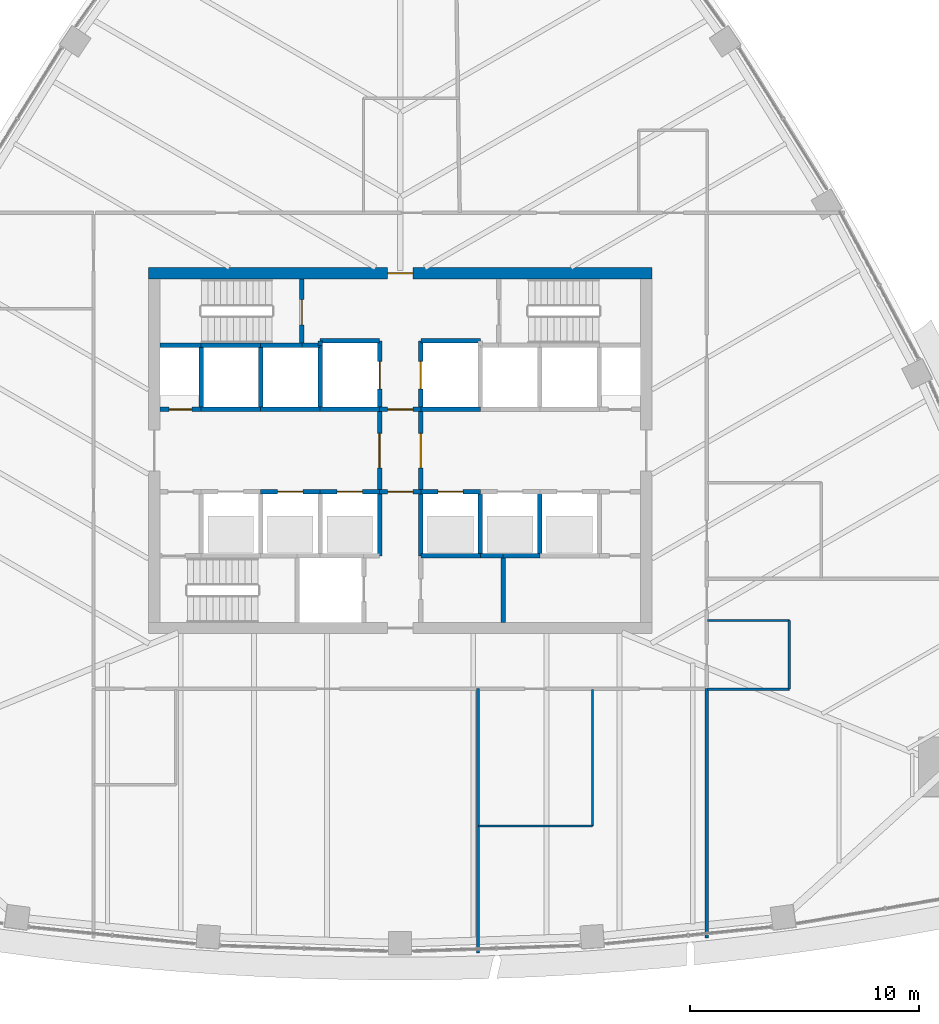
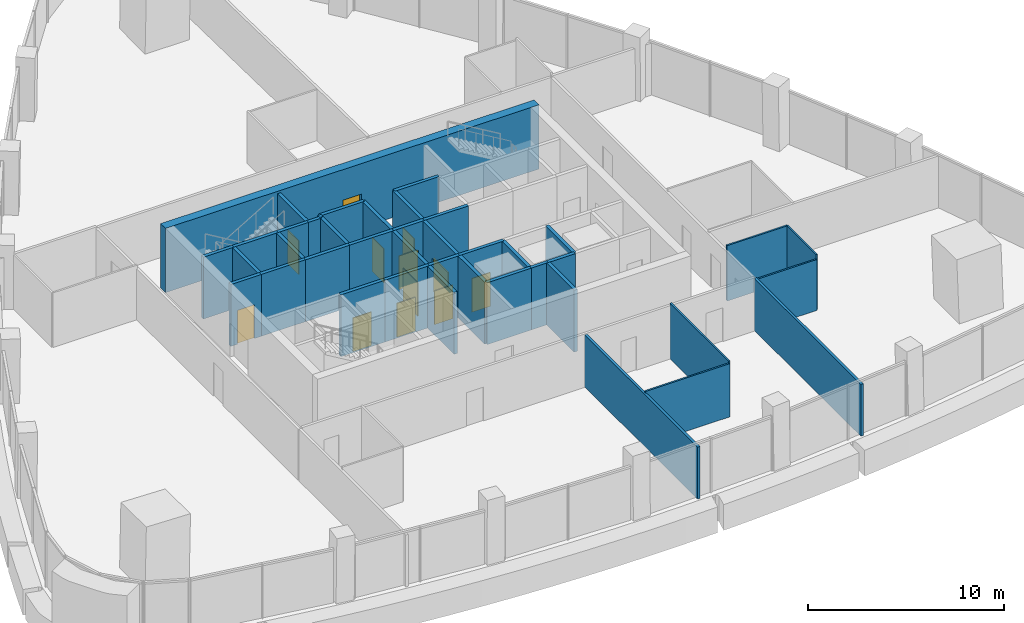
# One storey, part 10 of 16: 41 walls, 12 doors, 12 openings.
"""IFC4 building model written with IfcOpenShell, lengths in metres."""

from ifc_helpers import new_model, si_unit, direction, frame, frame_2d, origin, place, context, subcontext, project, spatial, rectangle, extrude, material, layer, layer_set, type_object, element, fill, save


model = new_model("IFC4")

# Units and contexts
model_context = context("Model", 3, precision=1e-05, world=origin(), true_north=direction((0.0, 1.0)))
body_context = subcontext(model_context, "Body", "Model", "MODEL_VIEW")
ifc_project = project(units=[si_unit("LENGTHUNIT", "METRE"), si_unit("AREAUNIT", "SQUARE_METRE"), si_unit("VOLUMEUNIT", "CUBIC_METRE"), si_unit("PLANEANGLEUNIT", "RADIAN"), si_unit("MASSUNIT", "GRAM", prefix="KILO")], contexts=[model_context])

# Site, building, storey
site_placement = place(None, origin())
site = spatial("IfcSite", under=ifc_project, at=site_placement, CompositionType="ELEMENT")
building_placement = place(site_placement, origin())
building = spatial("IfcBuilding", under=site, at=building_placement, Name="Sierra Prisma Convention Tower", CompositionType="ELEMENT")
storey_placement = place(building_placement, frame((0.0, 0.0, 165.800048828125)))
storey = spatial("IfcBuildingStorey", under=building, at=storey_placement, Name="L36", CompositionType="ELEMENT", Elevation=165.800048828125)

# Walls
ifc_material_1 = material(Name="Gypsum board partition", Category="gypsum")
ifc_layer_1 = layer(ifc_material_1, 0.10009765625)
ifc_layer_set_1 = layer_set([ifc_layer_1], Name="Bathroom partition 100")
wall_type_1 = type_object("IfcWallType", Name="Bathroom partition 100", PredefinedType="PARTITIONING", material=ifc_layer_set_1)
wall_1_placement = place(storey_placement, frame((8.39990234375, -10.429931640625, 0.0), z_axis=(0.0, 0.0, 1.0), x_axis=(0.0, -1.0, 0.0)))
element("IfcWall", 1, at=wall_1_placement, inside=storey, type_object=wall_type_1, Name="Partition L36 bath 7", PredefinedType="PARTITIONING", context=body_context, shape_type="SweptSolid", body=[
    extrude(rectangle(XDim=5.969970703125, YDim=0.10009765625, at=frame_2d((2.98486328125, 0.0))), origin(), (0.0, 0.0, 1.0), 3.449951171875),
])
wall_2_placement = place(storey_placement, frame((8.39990234375, -16.39990234375, 0.0), z_axis=(0.0, 0.0, 1.0), x_axis=(-1.0, 0.0, 0.0)))
element("IfcWall", 2, at=wall_2_placement, inside=storey, type_object=wall_type_1, Name="Partition L36 bath 8", PredefinedType="PARTITIONING", context=body_context, shape_type="SweptSolid", body=[
    extrude(rectangle(XDim=4.969970703125, YDim=0.10009765625, at=frame_2d((2.48486328125, 0.0))), origin(), (0.0, 0.0, 1.0), 3.31689453125),
])
wall_3_placement = place(storey_placement, frame((13.429931640625, -7.419921875, 0.0), z_axis=(0.0, 0.0, 1.0), x_axis=(1.0, 0.0, 0.0)))
element("IfcWall", 3, at=wall_3_placement, inside=storey, type_object=wall_type_1, Name="Partition L36 bath 12", PredefinedType="PARTITIONING", context=body_context, shape_type="SweptSolid", body=[
    extrude(rectangle(XDim=3.570068359375, YDim=0.10009765625, at=frame_2d((1.78515625, 0.0))), origin(), (0.0, 0.0, 1.0), 3.449951171875),
])
wall_4_placement = place(storey_placement, frame((17.0, -7.419921875, 0.0), z_axis=(0.0, 0.0, 1.0), x_axis=(0.0, -1.0, 0.0)))
element("IfcWall", 4, at=wall_4_placement, inside=storey, type_object=wall_type_1, Name="Partition L36 bath 13", PredefinedType="PARTITIONING", context=body_context, shape_type="SweptSolid", body=[
    extrude(rectangle(XDim=3.0, YDim=0.10009765625, at=frame_2d((1.5, 0.0))), origin(), (0.0, 0.0, 1.0), 3.449951171875),
])
wall_5_placement = place(storey_placement, frame((17.0, -10.419921875, 0.0), z_axis=(0.0, 0.0, 1.0), x_axis=(-1.0, 0.0, 0.0)))
element("IfcWall", 5, at=wall_5_placement, inside=storey, type_object=wall_type_1, Name="Partition L36 bath 14", PredefinedType="PARTITIONING", context=body_context, shape_type="SweptSolid", body=[
    extrude(rectangle(XDim=3.570068359375, YDim=0.10009765625, at=frame_2d((1.78515625, 0.0))), origin(), (0.0, 0.0, 1.0), 3.166015625),
])

# Wall, opening, door
ifc_material_2 = material(Name="Concrete C30/37", Category="concrete")
ifc_layer_2 = layer(ifc_material_2, 0.199951171875)
ifc_layer_set_2 = layer_set([ifc_layer_2], Name="Core wall RC 200 C30/37")
wall_type_2 = type_object("IfcWallType", Name="Core wall RC 200 C30/37", PredefinedType="SOLIDWALL", material=ifc_layer_set_2)
wall_6_placement = place(storey_placement, frame((-8.699951171875, 1.800048828125, 0.0), z_axis=(0.0, 0.0, 1.0), x_axis=(-1.0, 0.0, 0.0)))
wall_6 = element("IfcWall", 6, at=wall_6_placement, inside=storey, type_object=wall_type_2, Name="Core wall L36 3", PredefinedType="SOLIDWALL", context=body_context, shape_type="SweptSolid", body=[
    extrude(rectangle(XDim=1.800048828125, YDim=0.199951171875, at=frame_2d((0.89990234375, 0.0))), origin(), (0.0, 0.0, 1.0), 3.849853515625),
])
opening_1_placement = place(wall_6_placement, frame((0.39990234375, 0.0, 0.0)))
opening_1 = element("IfcOpeningElement", 7, at=opening_1_placement, cuts=wall_6, Name="Opening L36-D015", PredefinedType="OPENING", context=body_context, shape_type="SweptSolid", body=[
    extrude(rectangle(XDim=1.0, YDim=2.10009765625, at=frame_2d((0.5, 1.050048828125))), frame((0.0, 0.10009765625, 0.0), z_axis=(0.0, -1.0, 0.0), x_axis=(1.0, 0.0, 0.0)), (0.0, 0.0, 1.0), 0.199951171875),
])
ifc_material_3 = material(Name="Steel fire door leaf", Category="steel")
door_type_1 = type_object("IfcDoorType", Name="Door 1000x2100 FD60S", OperationType="SINGLE_SWING_LEFT", PredefinedType="DOOR", material=ifc_material_3)
door_1_placement = place(opening_1_placement, origin())
door_1 = element("IfcDoor", 8, at=door_1_placement, inside=storey, type_object=door_type_1, Name="Door L36 29", OperationType="SINGLE_SWING_RIGHT", OverallHeight=2.10009765625, OverallWidth=1.0, PredefinedType="DOOR", context=body_context, shape_type="SweptSolid", body=[
    extrude(rectangle(XDim=1.0, YDim=2.10009765625, at=frame_2d((0.5, 1.050048828125))), frame((0.0, 0.02490234375, 0.0), z_axis=(0.0, -1.0, 0.0), x_axis=(1.0, 0.0, 0.0)), (0.0, 0.0, 1.0), 0.050048828125),
])
fill(opening_1, door_1)

# Walls
wall_7_placement = place(storey_placement, frame((-8.699951171875, 4.60009765625, 0.0), z_axis=(0.0, 0.0, 1.0), x_axis=(-1.0, 0.0, 0.0)))
element("IfcWall", 9, at=wall_7_placement, inside=storey, type_object=wall_type_2, Name="Core wall L36 4", PredefinedType="SOLIDWALL", context=body_context, shape_type="SweptSolid", body=[
    extrude(rectangle(XDim=1.800048828125, YDim=0.199951171875, at=frame_2d((0.89990234375, 0.0))), origin(), (0.0, 0.0, 1.0), 3.849853515625),
])
wall_8_placement = place(storey_placement, frame((-6.10009765625, 1.800048828125, 0.0), z_axis=(0.0, 0.0, 1.0), x_axis=(-1.0, 0.0, 0.0)))
element("IfcWall", 10, at=wall_8_placement, inside=storey, type_object=wall_type_2, Name="Core wall L36 8", PredefinedType="SOLIDWALL", context=body_context, shape_type="SweptSolid", body=[
    extrude(rectangle(XDim=2.599853515625, YDim=0.199951171875, at=frame_2d((1.2998046875, 0.0))), origin(), (0.0, 0.0, 1.0), 3.849853515625),
])
wall_9_placement = place(storey_placement, frame((-8.699951171875, 1.800048828125, 0.0), z_axis=(0.0, 0.0, 1.0), x_axis=(0.0, 1.0, 0.0)))
element("IfcWall", 11, at=wall_9_placement, inside=storey, type_object=wall_type_2, Name="Core wall L36 9", PredefinedType="SOLIDWALL", context=body_context, shape_type="SweptSolid", body=[
    extrude(rectangle(XDim=2.800048828125, YDim=0.199951171875, at=frame_2d((1.39990234375, 0.0))), origin(), (0.0, 0.0, 1.0), 3.849853515625),
])
wall_10_placement = place(storey_placement, frame((-6.10009765625, 4.60009765625, 0.0), z_axis=(0.0, 0.0, 1.0), x_axis=(-1.0, 0.0, 0.0)))
element("IfcWall", 12, at=wall_10_placement, inside=storey, type_object=wall_type_2, Name="Core wall L36 10", PredefinedType="SOLIDWALL", context=body_context, shape_type="SweptSolid", body=[
    extrude(rectangle(XDim=2.599853515625, YDim=0.199951171875, at=frame_2d((1.2998046875, 0.0))), origin(), (0.0, 0.0, 1.0), 3.849853515625),
])

# Wall, opening, door
wall_11_placement = place(storey_placement, frame((-6.10009765625, -1.800048828125, 0.0), z_axis=(0.0, 0.0, 1.0), x_axis=(1.0, 0.0, 0.0)))
wall_11 = element("IfcWall", 13, at=wall_11_placement, inside=storey, type_object=wall_type_2, Name="Core wall L36 13", PredefinedType="SOLIDWALL", context=body_context, shape_type="SweptSolid", body=[
    extrude(rectangle(XDim=2.60009765625, YDim=0.199951171875, at=frame_2d((1.300048828125, 0.0))), origin(), (0.0, 0.0, 1.0), 3.849853515625),
])
opening_2_placement = place(wall_11_placement, frame((0.75, 0.0, 0.0)))
opening_2 = element("IfcOpeningElement", 14, at=opening_2_placement, cuts=wall_11, Name="Opening L36-D002", PredefinedType="OPENING", context=body_context, shape_type="SweptSolid", body=[
    extrude(rectangle(XDim=1.10009765625, YDim=2.10009765625, at=frame_2d((0.550048828125, 1.050048828125))), frame((0.0, 0.10009765625, 0.0), z_axis=(0.0, -1.0, 0.0), x_axis=(1.0, 0.0, 0.0)), (0.0, 0.0, 1.0), 0.199951171875),
])
ifc_material_4 = material(Name="Steel fire door leaf", Category="steel")
door_type_2 = type_object("IfcDoorType", Name="Door 1100x2100 EI 90 sliding lift landing", OperationType="SLIDING_TO_LEFT", PredefinedType="DOOR", material=ifc_material_4)
door_2_placement = place(opening_2_placement, origin())
door_2 = element("IfcDoor", 15, at=door_2_placement, inside=storey, type_object=door_type_2, Name="Door L36 16", OperationType="SLIDING_TO_RIGHT", OverallHeight=2.10009765625, OverallWidth=1.10009765625, PredefinedType="DOOR", context=body_context, shape_type="SweptSolid", body=[
    extrude(rectangle(XDim=1.10009765625, YDim=2.10009765625, at=frame_2d((0.550048828125, 1.050048828125))), frame((0.0, 0.02490234375, 0.0), z_axis=(0.0, -1.0, 0.0), x_axis=(1.0, 0.0, 0.0)), (0.0, 0.0, 1.0), 0.050048828125),
])
fill(opening_2, door_2)

# Walls
wall_12_placement = place(storey_placement, frame((-3.5, 1.800048828125, 0.0), z_axis=(0.0, 0.0, 1.0), x_axis=(-1.0, 0.0, 0.0)))
element("IfcWall", 16, at=wall_12_placement, inside=storey, type_object=wall_type_2, Name="Core wall L36 14", PredefinedType="SOLIDWALL", context=body_context, shape_type="SweptSolid", body=[
    extrude(rectangle(XDim=2.60009765625, YDim=0.199951171875, at=frame_2d((1.300048828125, 0.0))), origin(), (0.0, 0.0, 1.0), 3.849853515625),
])
wall_13_placement = place(storey_placement, frame((-6.10009765625, 1.800048828125, 0.0), z_axis=(0.0, 0.0, 1.0), x_axis=(0.0, 1.0, 0.0)))
element("IfcWall", 17, at=wall_13_placement, inside=storey, type_object=wall_type_2, Name="Core wall L36 15", PredefinedType="SOLIDWALL", context=body_context, shape_type="SweptSolid", body=[
    extrude(rectangle(XDim=2.800048828125, YDim=0.199951171875, at=frame_2d((1.39990234375, 0.0))), origin(), (0.0, 0.0, 1.0), 3.849853515625),
])
wall_14_placement = place(storey_placement, frame((-4.300048828125, 4.60009765625, 0.0), z_axis=(0.0, 0.0, 1.0), x_axis=(-1.0, 0.0, 0.0)))
element("IfcWall", 18, at=wall_14_placement, inside=storey, type_object=wall_type_2, Name="Core wall L36 16", PredefinedType="SOLIDWALL", context=body_context, shape_type="SweptSolid", body=[
    extrude(rectangle(XDim=1.800048828125, YDim=0.199951171875, at=frame_2d((0.89990234375, 0.0))), origin(), (0.0, 0.0, 1.0), 3.849853515625),
])
wall_15_placement = place(storey_placement, frame((-3.5, 4.60009765625, 0.0), z_axis=(0.0, 0.0, 1.0), x_axis=(-1.0, 0.0, 0.0)))
element("IfcWall", 19, at=wall_15_placement, inside=storey, type_object=wall_type_2, Name="Core wall L36 19", PredefinedType="SOLIDWALL", context=body_context, shape_type="SweptSolid", body=[
    extrude(rectangle(XDim=0.800048828125, YDim=0.199951171875, at=frame_2d((0.39990234375, 0.0))), origin(), (0.0, 0.0, 1.0), 3.849853515625),
])

# Wall, opening, door
wall_16_placement = place(storey_placement, frame((-4.300048828125, 4.60009765625, 0.0), z_axis=(0.0, 0.0, 1.0), x_axis=(0.0, 1.0, 0.0)))
wall_16 = element("IfcWall", 20, at=wall_16_placement, inside=storey, type_object=wall_type_2, Name="Core wall L36 20", PredefinedType="SOLIDWALL", context=body_context, shape_type="SweptSolid", body=[
    extrude(rectangle(XDim=2.89990234375, YDim=0.199951171875, at=frame_2d((1.449951171875, 0.0))), origin(), (0.0, 0.0, 1.0), 3.849853515625),
])
opening_3_placement = place(wall_16_placement, frame((0.89990234375, 0.0, 0.0)))
opening_3 = element("IfcOpeningElement", 21, at=opening_3_placement, cuts=wall_16, Name="Opening L36-D018", PredefinedType="OPENING", context=body_context, shape_type="SweptSolid", body=[
    extrude(rectangle(XDim=1.10009765625, YDim=2.10009765625, at=frame_2d((0.550048828125, 1.050048828125))), frame((0.0, 0.10009765625, 0.0), z_axis=(0.0, -1.0, 0.0), x_axis=(1.0, 0.0, 0.0)), (0.0, 0.0, 1.0), 0.199951171875),
])
ifc_material_5 = material(Name="Steel fire door leaf", Category="steel")
door_type_3 = type_object("IfcDoorType", Name="Door 1100x2100 FD90S", OperationType="SINGLE_SWING_LEFT", PredefinedType="DOOR", material=ifc_material_5)
door_3_placement = place(opening_3_placement, origin())
door_3 = element("IfcDoor", 22, at=door_3_placement, inside=storey, type_object=door_type_3, Name="Door L36 32", OperationType="SINGLE_SWING_LEFT", OverallHeight=2.10009765625, OverallWidth=1.10009765625, PredefinedType="DOOR", context=body_context, shape_type="SweptSolid", body=[
    extrude(rectangle(XDim=1.10009765625, YDim=2.10009765625, at=frame_2d((0.550048828125, 1.050048828125))), frame((0.0, 0.02490234375, 0.0), z_axis=(0.0, -1.0, 0.0), x_axis=(1.0, 0.0, 0.0)), (0.0, 0.0, 1.0), 0.050048828125),
])
fill(opening_3, door_3)

wall_17_placement = place(storey_placement, frame((-3.5, -1.800048828125, 0.0), z_axis=(0.0, 0.0, 1.0), x_axis=(1.0, 0.0, 0.0)))
wall_17 = element("IfcWall", 23, at=wall_17_placement, inside=storey, type_object=wall_type_2, Name="Core wall L36 23", PredefinedType="SOLIDWALL", context=body_context, shape_type="SweptSolid", body=[
    extrude(rectangle(XDim=2.60009765625, YDim=0.199951171875, at=frame_2d((1.300048828125, 0.0))), origin(), (0.0, 0.0, 1.0), 3.849853515625),
])
opening_4_placement = place(wall_17_placement, frame((0.75, 0.0, 0.0)))
opening_4 = element("IfcOpeningElement", 24, at=opening_4_placement, cuts=wall_17, Name="Opening L36-D003", PredefinedType="OPENING", context=body_context, shape_type="SweptSolid", body=[
    extrude(rectangle(XDim=1.10009765625, YDim=2.10009765625, at=frame_2d((0.550048828125, 1.050048828125))), frame((0.0, 0.10009765625, 0.0), z_axis=(0.0, -1.0, 0.0), x_axis=(1.0, 0.0, 0.0)), (0.0, 0.0, 1.0), 0.199951171875),
])
door_4_placement = place(opening_4_placement, origin())
door_4 = element("IfcDoor", 25, at=door_4_placement, inside=storey, type_object=door_type_2, Name="Door L36 17", OperationType="SLIDING_TO_RIGHT", OverallHeight=2.10009765625, OverallWidth=1.10009765625, PredefinedType="DOOR", context=body_context, shape_type="SweptSolid", body=[
    extrude(rectangle(XDim=1.10009765625, YDim=2.10009765625, at=frame_2d((0.550048828125, 1.050048828125))), frame((0.0, 0.02490234375, 0.0), z_axis=(0.0, -1.0, 0.0), x_axis=(1.0, 0.0, 0.0)), (0.0, 0.0, 1.0), 0.050048828125),
])
fill(opening_4, door_4)

# Walls
wall_18_placement = place(storey_placement, frame((-0.89990234375, 1.800048828125, 0.0), z_axis=(0.0, 0.0, 1.0), x_axis=(-1.0, 0.0, 0.0)))
element("IfcWall", 26, at=wall_18_placement, inside=storey, type_object=wall_type_2, Name="Core wall L36 24", PredefinedType="SOLIDWALL", context=body_context, shape_type="SweptSolid", body=[
    extrude(rectangle(XDim=2.60009765625, YDim=0.199951171875, at=frame_2d((1.300048828125, 0.0))), origin(), (0.0, 0.0, 1.0), 3.849853515625),
])
wall_19_placement = place(storey_placement, frame((-3.5, 4.60009765625, 0.0), z_axis=(0.0, 0.0, 1.0), x_axis=(0.0, -1.0, 0.0)))
element("IfcWall", 27, at=wall_19_placement, inside=storey, type_object=wall_type_2, Name="Core wall L36 25", PredefinedType="SOLIDWALL", context=body_context, shape_type="SweptSolid", body=[
    extrude(rectangle(XDim=2.800048828125, YDim=0.199951171875, at=frame_2d((1.39990234375, 0.0))), origin(), (0.0, 0.0, 1.0), 3.849853515625),
])

# Wall, opening, door
wall_20_placement = place(storey_placement, frame((-0.89990234375, 1.800048828125, 0.0), z_axis=(0.0, 0.0, 1.0), x_axis=(0.0, 1.0, 0.0)))
wall_20 = element("IfcWall", 28, at=wall_20_placement, inside=storey, type_object=wall_type_2, Name="Core wall L36 26", PredefinedType="SOLIDWALL", context=body_context, shape_type="SweptSolid", body=[
    extrude(rectangle(XDim=3.0, YDim=0.199951171875, at=frame_2d((1.5, 0.0))), origin(), (0.0, 0.0, 1.0), 3.849853515625),
])
opening_5_placement = place(wall_20_placement, frame((0.89990234375, 0.0, 0.0)))
opening_5 = element("IfcOpeningElement", 29, at=opening_5_placement, cuts=wall_20, Name="Opening L36-D007", PredefinedType="OPENING", context=body_context, shape_type="SweptSolid", body=[
    extrude(rectangle(XDim=1.199951171875, YDim=2.10009765625, at=frame_2d((0.60009765625, 1.050048828125))), frame((0.0, 0.10009765625, 0.0), z_axis=(0.0, -1.0, 0.0), x_axis=(1.0, 0.0, 0.0)), (0.0, 0.0, 1.0), 0.199951171875),
])
ifc_material_6 = material(Name="Steel fire door leaf", Category="steel")
door_type_4 = type_object("IfcDoorType", Name="Door 1200x2100 EI 90 sliding lift landing", OperationType="SLIDING_TO_LEFT", PredefinedType="DOOR", material=ifc_material_6)
door_5_placement = place(opening_5_placement, origin())
door_5 = element("IfcDoor", 30, at=door_5_placement, inside=storey, type_object=door_type_4, Name="Door L36 21", OperationType="SLIDING_TO_LEFT", OverallHeight=2.10009765625, OverallWidth=1.199951171875, PredefinedType="DOOR", context=body_context, shape_type="SweptSolid", body=[
    extrude(rectangle(XDim=1.199951171875, YDim=2.10009765625, at=frame_2d((0.60009765625, 1.050048828125))), frame((0.0, 0.02490234375, 0.0), z_axis=(0.0, -1.0, 0.0), x_axis=(1.0, 0.0, 0.0)), (0.0, 0.0, 1.0), 0.050048828125),
])
fill(opening_5, door_5)

# Walls
wall_21_placement = place(storey_placement, frame((-0.89990234375, 4.800048828125, 0.0), z_axis=(0.0, 0.0, 1.0), x_axis=(-1.0, 0.0, 0.0)))
element("IfcWall", 31, at=wall_21_placement, inside=storey, type_object=wall_type_2, Name="Core wall L36 27", PredefinedType="SOLIDWALL", context=body_context, shape_type="SweptSolid", body=[
    extrude(rectangle(XDim=2.60009765625, YDim=0.199951171875, at=frame_2d((1.300048828125, 0.0))), origin(), (0.0, 0.0, 1.0), 3.849853515625),
])
wall_22_placement = place(storey_placement, frame((-3.5, 4.800048828125, 0.0), z_axis=(0.0, 0.0, 1.0), x_axis=(0.0, -1.0, 0.0)))
element("IfcWall", 32, at=wall_22_placement, inside=storey, type_object=wall_type_2, Name="Core wall L36 28", PredefinedType="SOLIDWALL", context=body_context, shape_type="SweptSolid", body=[
    extrude(rectangle(XDim=0.199951171875, YDim=0.199951171875, at=frame_2d((0.10009765625, 0.0))), origin(), (0.0, 0.0, 1.0), 3.849853515625),
])
wall_23_placement = place(storey_placement, frame((-0.89990234375, -4.60009765625, 0.0), z_axis=(0.0, 0.0, 1.0), x_axis=(0.0, 1.0, 0.0)))
element("IfcWall", 33, at=wall_23_placement, inside=storey, type_object=wall_type_2, Name="Core wall L36 31", PredefinedType="SOLIDWALL", context=body_context, shape_type="SweptSolid", body=[
    extrude(rectangle(XDim=2.800048828125, YDim=0.199951171875, at=frame_2d((1.39990234375, 0.0))), origin(), (0.0, 0.0, 1.0), 3.849853515625),
])

# Wall, opening, door
wall_24_placement = place(storey_placement, frame((-0.89990234375, -1.800048828125, 0.0), z_axis=(0.0, 0.0, 1.0), x_axis=(1.0, 0.0, 0.0)))
wall_24 = element("IfcWall", 34, at=wall_24_placement, inside=storey, type_object=wall_type_2, Name="Core wall L36 32", PredefinedType="SOLIDWALL", context=body_context, shape_type="SweptSolid", body=[
    extrude(rectangle(XDim=1.7998046875, YDim=0.199951171875, at=frame_2d((0.89990234375, 0.0))), origin(), (0.0, 0.0, 1.0), 3.849853515625),
])
opening_6_placement = place(wall_24_placement, frame((0.35009765625, 0.0, 0.0)))
opening_6 = element("IfcOpeningElement", 35, at=opening_6_placement, cuts=wall_24, Name="Opening L36-D014", PredefinedType="OPENING", context=body_context, shape_type="SweptSolid", body=[
    extrude(rectangle(XDim=1.10009765625, YDim=2.10009765625, at=frame_2d((0.550048828125, 1.050048828125))), frame((0.0, 0.10009765625, 0.0), z_axis=(0.0, -1.0, 0.0), x_axis=(1.0, 0.0, 0.0)), (0.0, 0.0, 1.0), 0.199951171875),
])
ifc_material_7 = material(Name="Steel fire door leaf", Category="steel")
door_type_5 = type_object("IfcDoorType", Name="Door 1100x2100 FD30S", OperationType="SINGLE_SWING_LEFT", PredefinedType="DOOR", material=ifc_material_7)
door_6_placement = place(opening_6_placement, origin())
door_6 = element("IfcDoor", 36, at=door_6_placement, inside=storey, type_object=door_type_5, Name="Door L36 28", OperationType="SINGLE_SWING_RIGHT", OverallHeight=2.10009765625, OverallWidth=1.10009765625, PredefinedType="DOOR", context=body_context, shape_type="SweptSolid", body=[
    extrude(rectangle(XDim=1.10009765625, YDim=2.10009765625, at=frame_2d((0.550048828125, 1.050048828125))), frame((0.0, 0.02490234375, 0.0), z_axis=(0.0, -1.0, 0.0), x_axis=(1.0, 0.0, 0.0)), (0.0, 0.0, 1.0), 0.050048828125),
])
fill(opening_6, door_6)

wall_25_placement = place(storey_placement, frame((-0.89990234375, 1.800048828125, 0.0), z_axis=(0.0, 0.0, 1.0), x_axis=(0.0, -1.0, 0.0)))
wall_25 = element("IfcWall", 37, at=wall_25_placement, inside=storey, type_object=wall_type_2, Name="Core wall L36 33", PredefinedType="SOLIDWALL", context=body_context, shape_type="SweptSolid", body=[
    extrude(rectangle(XDim=3.60009765625, YDim=0.199951171875, at=frame_2d((1.800048828125, 0.0))), origin(), (0.0, 0.0, 1.0), 3.849853515625),
])
opening_7_placement = place(wall_25_placement, frame((1.050048828125, 0.0, 0.0)))
opening_7 = element("IfcOpeningElement", 38, at=opening_7_placement, cuts=wall_25, Name="Opening L36-D010", PredefinedType="OPENING", context=body_context, shape_type="SweptSolid", body=[
    extrude(rectangle(XDim=1.5, YDim=2.10009765625, at=frame_2d((0.75, 1.050048828125))), frame((0.0, 0.10009765625, 0.0), z_axis=(0.0, -1.0, 0.0), x_axis=(1.0, 0.0, 0.0)), (0.0, 0.0, 1.0), 0.199951171875),
])
ifc_material_8 = material(Name="Steel fire door leaf", Category="steel")
door_type_6 = type_object("IfcDoorType", Name="Door 1500x2100 FD30S", OperationType="DOUBLE_DOOR_SINGLE_SWING", PredefinedType="DOOR", material=ifc_material_8)
door_7_placement = place(opening_7_placement, origin())
door_7 = element("IfcDoor", 39, at=door_7_placement, inside=storey, type_object=door_type_6, Name="Door L36 24", OperationType="DOUBLE_DOOR_SINGLE_SWING", OverallHeight=2.10009765625, OverallWidth=1.5, PredefinedType="DOOR", context=body_context, shape_type="SweptSolid", body=[
    extrude(rectangle(XDim=1.5, YDim=2.10009765625, at=frame_2d((0.75, 1.050048828125))), frame((0.0, 0.02490234375, 0.0), z_axis=(0.0, -1.0, 0.0), x_axis=(1.0, 0.0, 0.0)), (0.0, 0.0, 1.0), 0.050048828125),
])
fill(opening_7, door_7)

wall_26_placement = place(storey_placement, frame((0.89990234375, 1.800048828125, 0.0), z_axis=(0.0, 0.0, 1.0), x_axis=(-1.0, 0.0, 0.0)))
wall_26 = element("IfcWall", 40, at=wall_26_placement, inside=storey, type_object=wall_type_2, Name="Core wall L36 34", PredefinedType="SOLIDWALL", context=body_context, shape_type="SweptSolid", body=[
    extrude(rectangle(XDim=1.7998046875, YDim=0.199951171875, at=frame_2d((0.89990234375, 0.0))), origin(), (0.0, 0.0, 1.0), 3.849853515625),
])
opening_8_placement = place(wall_26_placement, frame((0.35009765625, 0.0, 0.0)))
opening_8 = element("IfcOpeningElement", 41, at=opening_8_placement, cuts=wall_26, Name="Opening L36-D013", PredefinedType="OPENING", context=body_context, shape_type="SweptSolid", body=[
    extrude(rectangle(XDim=1.10009765625, YDim=2.10009765625, at=frame_2d((0.550048828125, 1.050048828125))), frame((0.0, 0.10009765625, 0.0), z_axis=(0.0, -1.0, 0.0), x_axis=(1.0, 0.0, 0.0)), (0.0, 0.0, 1.0), 0.199951171875),
])
ifc_material_9 = material(Name="Steel fire door leaf", Category="steel")
door_type_7 = type_object("IfcDoorType", Name="Door 1100x2100 FD60S", OperationType="SINGLE_SWING_LEFT", PredefinedType="DOOR", material=ifc_material_9)
door_8_placement = place(opening_8_placement, origin())
door_8 = element("IfcDoor", 42, at=door_8_placement, inside=storey, type_object=door_type_7, Name="Door L36 27", OperationType="SINGLE_SWING_RIGHT", OverallHeight=2.10009765625, OverallWidth=1.10009765625, PredefinedType="DOOR", context=body_context, shape_type="SweptSolid", body=[
    extrude(rectangle(XDim=1.10009765625, YDim=2.10009765625, at=frame_2d((0.550048828125, 1.050048828125))), frame((0.0, 0.02490234375, 0.0), z_axis=(0.0, -1.0, 0.0), x_axis=(1.0, 0.0, 0.0)), (0.0, 0.0, 1.0), 0.050048828125),
])
fill(opening_8, door_8)

# Walls
wall_27_placement = place(storey_placement, frame((3.5, -4.60009765625, 0.0), z_axis=(0.0, 0.0, 1.0), x_axis=(-1.0, 0.0, 0.0)))
element("IfcWall", 43, at=wall_27_placement, inside=storey, type_object=wall_type_2, Name="Core wall L36 36", PredefinedType="SOLIDWALL", context=body_context, shape_type="SweptSolid", body=[
    extrude(rectangle(XDim=2.60009765625, YDim=0.199951171875, at=frame_2d((1.300048828125, 0.0))), origin(), (0.0, 0.0, 1.0), 3.849853515625),
])
wall_28_placement = place(storey_placement, frame((0.89990234375, -1.800048828125, 0.0), z_axis=(0.0, 0.0, 1.0), x_axis=(0.0, -1.0, 0.0)))
element("IfcWall", 44, at=wall_28_placement, inside=storey, type_object=wall_type_2, Name="Core wall L36 37", PredefinedType="SOLIDWALL", context=body_context, shape_type="SweptSolid", body=[
    extrude(rectangle(XDim=2.800048828125, YDim=0.199951171875, at=frame_2d((1.39990234375, 0.0))), origin(), (0.0, 0.0, 1.0), 3.849853515625),
])

# Wall, opening, door
wall_29_placement = place(storey_placement, frame((0.89990234375, -1.800048828125, 0.0), z_axis=(0.0, 0.0, 1.0), x_axis=(1.0, 0.0, 0.0)))
wall_29 = element("IfcWall", 45, at=wall_29_placement, inside=storey, type_object=wall_type_2, Name="Core wall L36 38", PredefinedType="SOLIDWALL", context=body_context, shape_type="SweptSolid", body=[
    extrude(rectangle(XDim=2.60009765625, YDim=0.199951171875, at=frame_2d((1.300048828125, 0.0))), origin(), (0.0, 0.0, 1.0), 3.849853515625),
])
opening_9_placement = place(wall_29_placement, frame((0.75, 0.0, 0.0)))
opening_9 = element("IfcOpeningElement", 46, at=opening_9_placement, cuts=wall_29, Name="Opening L36-D004", PredefinedType="OPENING", context=body_context, shape_type="SweptSolid", body=[
    extrude(rectangle(XDim=1.10009765625, YDim=2.10009765625, at=frame_2d((0.550048828125, 1.050048828125))), frame((0.0, 0.10009765625, 0.0), z_axis=(0.0, -1.0, 0.0), x_axis=(1.0, 0.0, 0.0)), (0.0, 0.0, 1.0), 0.199951171875),
])
door_9_placement = place(opening_9_placement, origin())
door_9 = element("IfcDoor", 47, at=door_9_placement, inside=storey, type_object=door_type_2, Name="Door L36 18", OperationType="SLIDING_TO_LEFT", OverallHeight=2.10009765625, OverallWidth=1.10009765625, PredefinedType="DOOR", context=body_context, shape_type="SweptSolid", body=[
    extrude(rectangle(XDim=1.10009765625, YDim=2.10009765625, at=frame_2d((0.550048828125, 1.050048828125))), frame((0.0, 0.02490234375, 0.0), z_axis=(0.0, -1.0, 0.0), x_axis=(1.0, 0.0, 0.0)), (0.0, 0.0, 1.0), 0.050048828125),
])
fill(opening_9, door_9)

wall_30_placement = place(storey_placement, frame((0.89990234375, -1.800048828125, 0.0), z_axis=(0.0, 0.0, 1.0), x_axis=(0.0, 1.0, 0.0)))
wall_30 = element("IfcWall", 48, at=wall_30_placement, inside=storey, type_object=wall_type_2, Name="Core wall L36 39", PredefinedType="SOLIDWALL", context=body_context, shape_type="SweptSolid", body=[
    extrude(rectangle(XDim=3.60009765625, YDim=0.199951171875, at=frame_2d((1.800048828125, 0.0))), origin(), (0.0, 0.0, 1.0), 3.849853515625),
])
opening_10_placement = place(wall_30_placement, frame((1.050048828125, 0.0, 0.0)))
opening_10 = element("IfcOpeningElement", 49, at=opening_10_placement, cuts=wall_30, Name="Opening L36-D011", PredefinedType="OPENING", context=body_context, shape_type="SweptSolid", body=[
    extrude(rectangle(XDim=1.5, YDim=2.10009765625, at=frame_2d((0.75, 1.050048828125))), frame((0.0, 0.10009765625, 0.0), z_axis=(0.0, -1.0, 0.0), x_axis=(1.0, 0.0, 0.0)), (0.0, 0.0, 1.0), 0.199951171875),
])
door_10_placement = place(opening_10_placement, origin())
door_10 = element("IfcDoor", 50, at=door_10_placement, inside=storey, type_object=door_type_6, Name="Door L36 25", OperationType="DOUBLE_DOOR_SINGLE_SWING", OverallHeight=2.10009765625, OverallWidth=1.5, PredefinedType="DOOR", context=body_context, shape_type="SweptSolid", body=[
    extrude(rectangle(XDim=1.5, YDim=2.10009765625, at=frame_2d((0.75, 1.050048828125))), frame((0.0, 0.02490234375, 0.0), z_axis=(0.0, -1.0, 0.0), x_axis=(1.0, 0.0, 0.0)), (0.0, 0.0, 1.0), 0.050048828125),
])
fill(opening_10, door_10)

# Walls
for number, where, z_axis, x_axis, name in (
    (51, (3.5, 1.800048828125, 0.0), (0.0, 0.0, 1.0), (-1.0, 0.0, 0.0), "Core wall L36 40"),
    (52, (3.5, 4.800048828125, 0.0), (0.0, 0.0, 1.0), (-1.0, 0.0, 0.0), "Core wall L36 42"),
):
    element("IfcWall", number, at=place(storey_placement, frame(where, z_axis=z_axis, x_axis=x_axis)), inside=storey, type_object=wall_type_2, Name=name, PredefinedType="SOLIDWALL", context=body_context, shape_type="SweptSolid", body=[
        extrude(rectangle(XDim=2.60009765625, YDim=0.199951171875, at=frame_2d((1.300048828125, 0.0))), origin(), (0.0, 0.0, 1.0), 3.849853515625),
    ])

# Wall, opening, door
wall_31_placement = place(storey_placement, frame((0.89990234375, 4.800048828125, 0.0), z_axis=(0.0, 0.0, 1.0), x_axis=(0.0, -1.0, 0.0)))
wall_31 = element("IfcWall", 53, at=wall_31_placement, inside=storey, type_object=wall_type_2, Name="Core wall L36 43", PredefinedType="SOLIDWALL", context=body_context, shape_type="SweptSolid", body=[
    extrude(rectangle(XDim=3.0, YDim=0.199951171875, at=frame_2d((1.5, 0.0))), origin(), (0.0, 0.0, 1.0), 3.849853515625),
])
opening_11_placement = place(wall_31_placement, frame((0.89990234375, 0.0, 0.0)))
opening_11 = element("IfcOpeningElement", 54, at=opening_11_placement, cuts=wall_31, Name="Opening L36-D008", PredefinedType="OPENING", context=body_context, shape_type="SweptSolid", body=[
    extrude(rectangle(XDim=1.199951171875, YDim=2.10009765625, at=frame_2d((0.60009765625, 1.050048828125))), frame((0.0, 0.10009765625, 0.0), z_axis=(0.0, -1.0, 0.0), x_axis=(1.0, 0.0, 0.0)), (0.0, 0.0, 1.0), 0.199951171875),
])
door_11_placement = place(opening_11_placement, origin())
door_11 = element("IfcDoor", 55, at=door_11_placement, inside=storey, type_object=door_type_4, Name="Door L36 22", OperationType="SLIDING_TO_LEFT", OverallHeight=2.10009765625, OverallWidth=1.199951171875, PredefinedType="DOOR", context=body_context, shape_type="SweptSolid", body=[
    extrude(rectangle(XDim=1.199951171875, YDim=2.10009765625, at=frame_2d((0.60009765625, 1.050048828125))), frame((0.0, 0.02490234375, 0.0), z_axis=(0.0, -1.0, 0.0), x_axis=(1.0, 0.0, 0.0)), (0.0, 0.0, 1.0), 0.050048828125),
])
fill(opening_11, door_11)

# Walls
wall_32_placement = place(storey_placement, frame((4.5, -4.60009765625, 0.0), z_axis=(0.0, 0.0, 1.0), x_axis=(-1.0, 0.0, 0.0)))
element("IfcWall", 56, at=wall_32_placement, inside=storey, type_object=wall_type_2, Name="Core wall L36 44", PredefinedType="SOLIDWALL", context=body_context, shape_type="SweptSolid", body=[
    extrude(rectangle(XDim=1.0, YDim=0.199951171875, at=frame_2d((0.5, 0.0))), origin(), (0.0, 0.0, 1.0), 3.849853515625),
])
wall_33_placement = place(storey_placement, frame((3.5, -4.60009765625, 0.0), z_axis=(0.0, 0.0, 1.0), x_axis=(0.0, 1.0, 0.0)))
element("IfcWall", 57, at=wall_33_placement, inside=storey, type_object=wall_type_2, Name="Core wall L36 45", PredefinedType="SOLIDWALL", context=body_context, shape_type="SweptSolid", body=[
    extrude(rectangle(XDim=2.800048828125, YDim=0.199951171875, at=frame_2d((1.39990234375, 0.0))), origin(), (0.0, 0.0, 1.0), 3.849853515625),
])
wall_34_placement = place(storey_placement, frame((4.5, -4.60009765625, 0.0), z_axis=(0.0, 0.0, 1.0), x_axis=(0.0, -1.0, 0.0)))
element("IfcWall", 58, at=wall_34_placement, inside=storey, type_object=wall_type_2, Name="Core wall L36 52", PredefinedType="SOLIDWALL", context=body_context, shape_type="SweptSolid", body=[
    extrude(rectangle(XDim=2.89990234375, YDim=0.199951171875, at=frame_2d((1.449951171875, 0.0))), origin(), (0.0, 0.0, 1.0), 3.849853515625),
])
wall_35_placement = place(storey_placement, frame((6.10009765625, -4.60009765625, 0.0), z_axis=(0.0, 0.0, 1.0), x_axis=(-1.0, 0.0, 0.0)))
element("IfcWall", 59, at=wall_35_placement, inside=storey, type_object=wall_type_2, Name="Core wall L36 53", PredefinedType="SOLIDWALL", context=body_context, shape_type="SweptSolid", body=[
    extrude(rectangle(XDim=1.60009765625, YDim=0.199951171875, at=frame_2d((0.800048828125, 0.0))), origin(), (0.0, 0.0, 1.0), 3.849853515625),
])
wall_36_placement = place(storey_placement, frame((6.10009765625, -4.60009765625, 0.0), z_axis=(0.0, 0.0, 1.0), x_axis=(0.0, 1.0, 0.0)))
element("IfcWall", 60, at=wall_36_placement, inside=storey, type_object=wall_type_2, Name="Core wall L36 55", PredefinedType="SOLIDWALL", context=body_context, shape_type="SweptSolid", body=[
    extrude(rectangle(XDim=2.800048828125, YDim=0.199951171875, at=frame_2d((1.39990234375, 0.0))), origin(), (0.0, 0.0, 1.0), 3.849853515625),
])

# Wall, opening, door
ifc_material_10 = material(Name="Concrete C60/75", Category="concrete")
ifc_layer_3 = layer(ifc_material_10, 0.5)
ifc_layer_set_3 = layer_set([ifc_layer_3], Name="Core wall RC 500 C60/75")
wall_type_3 = type_object("IfcWallType", Name="Core wall RC 500 C60/75", PredefinedType="SHEAR", material=ifc_layer_set_3)
wall_37_placement = place(storey_placement, frame((-11.0, 7.75, 0.0), z_axis=(0.0, 0.0, 1.0), x_axis=(1.0, 0.0, 0.0)))
wall_37 = element("IfcWall", 61, at=wall_37_placement, inside=storey, type_object=wall_type_3, Name="Core wall N L36", PredefinedType="SHEAR", context=body_context, shape_type="SweptSolid", body=[
    extrude(rectangle(XDim=22.0, YDim=0.5, at=frame_2d((11.0, 0.0))), origin(), (0.0, 0.0, 1.0), 4.0),
])
opening_12_placement = place(wall_37_placement, frame((10.449951171875, 0.0, 0.0)))
opening_12 = element("IfcOpeningElement", 62, at=opening_12_placement, cuts=wall_37, Name="Opening L36-D038", PredefinedType="OPENING", context=body_context, shape_type="SweptSolid", body=[
    extrude(rectangle(XDim=1.10009765625, YDim=2.10009765625, at=frame_2d((0.550048828125, 1.050048828125))), frame((0.0, 0.25, 0.0), z_axis=(0.0, -1.0, 0.0), x_axis=(1.0, 0.0, 0.0)), (0.0, 0.0, 1.0), 0.5),
])
door_12_placement = place(opening_12_placement, origin())
door_12 = element("IfcDoor", 63, at=door_12_placement, inside=storey, type_object=door_type_7, Name="Door L36 39", OperationType="SINGLE_SWING_LEFT", OverallHeight=2.10009765625, OverallWidth=1.10009765625, PredefinedType="DOOR", context=body_context, shape_type="SweptSolid", body=[
    extrude(rectangle(XDim=1.10009765625, YDim=2.10009765625, at=frame_2d((0.550048828125, 1.050048828125))), frame((0.0, 0.02490234375, 0.0), z_axis=(0.0, -1.0, 0.0), x_axis=(1.0, 0.0, 0.0)), (0.0, 0.0, 1.0), 0.050048828125),
])
fill(opening_12, door_12)

# Walls
ifc_material_11 = material(Name="Gypsum board partition", Category="gypsum")
ifc_layer_4 = layer(ifc_material_11, 0.14990234375)
ifc_layer_set_4 = layer_set([ifc_layer_4], Name="Party wall 150 gypsum")
wall_type_4 = type_object("IfcWallType", Name="Party wall 150 gypsum", PredefinedType="PARTITIONING", material=ifc_layer_set_4)
wall_38_placement = place(storey_placement, frame((3.39990234375, -10.39990234375, 0.0), z_axis=(0.0, 0.0, 1.0), x_axis=(0.0, -1.0, 0.0)))
element("IfcWall", 64, at=wall_38_placement, inside=storey, type_object=wall_type_4, Name="Partition L36 party 4", PredefinedType="PARTITIONING", context=body_context, shape_type="SweptSolid", body=[
    extrude(rectangle(XDim=11.5595703125, YDim=0.14990234375, at=frame_2d((5.77978515625, 0.0))), origin(), (0.0, 0.0, 1.0), 3.23388671875),
])
wall_39_placement = place(storey_placement, frame((13.39990234375, -10.39990234375, 0.0), z_axis=(0.0, 0.0, 1.0), x_axis=(0.0, -1.0, 0.0)))
element("IfcWall", 65, at=wall_39_placement, inside=storey, type_object=wall_type_4, Name="Partition L36 party 5", PredefinedType="PARTITIONING", context=body_context, shape_type="SweptSolid", body=[
    extrude(rectangle(XDim=10.8876953125, YDim=0.14990234375, at=frame_2d((5.44384765625, 0.0))), origin(), (0.0, 0.0, 1.0), 3.23388671875),
])

save(model, "model.ifc")
